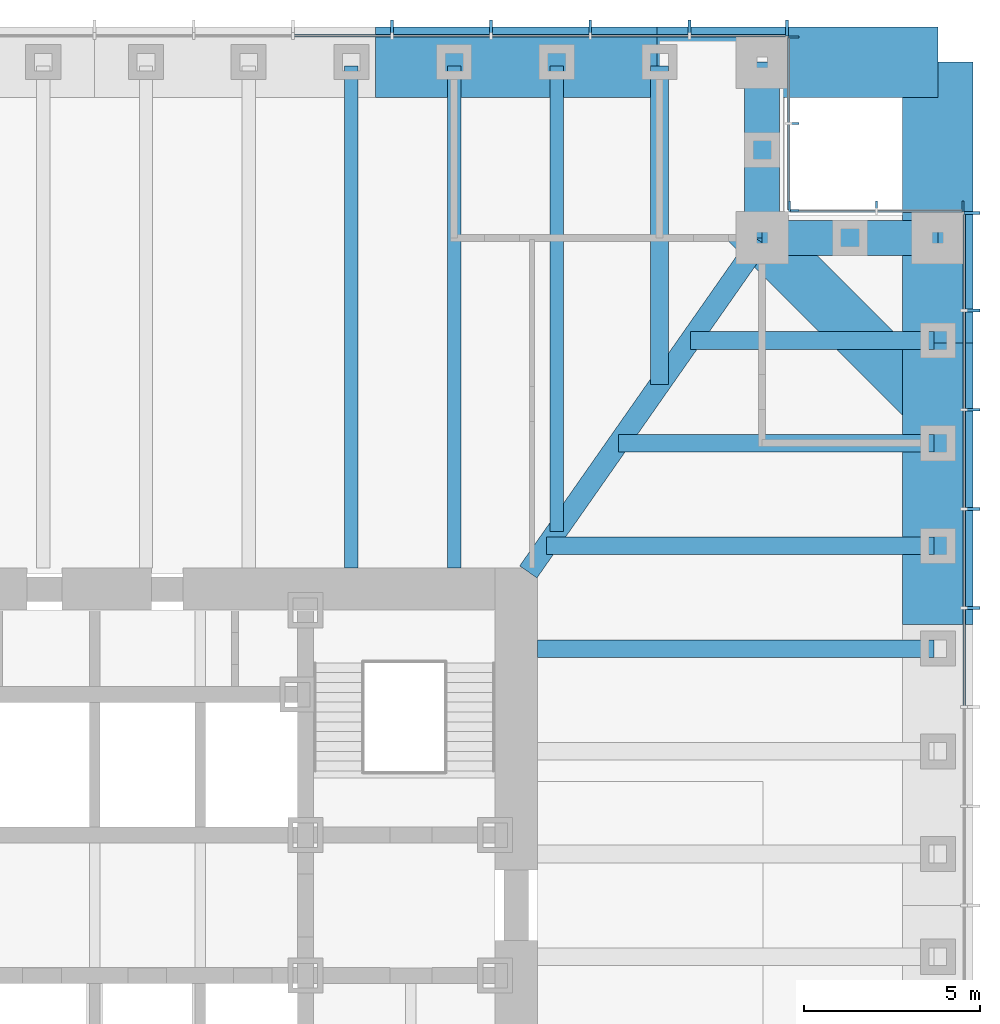
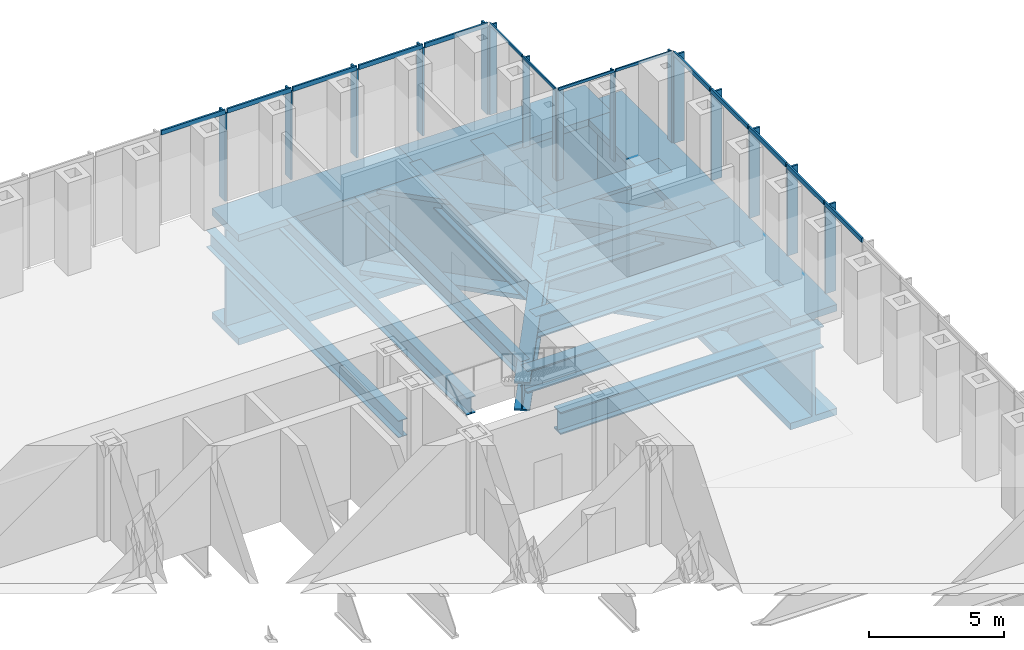
# One storey, part 6 of 16: 30 members, 16 beams, 4 elements without a shape of their own.
"""IFC4 building model written with IfcOpenShell, lengths in metres."""

from ifc_helpers import new_model, si_unit, direction, frame, origin, origin_2d, place, context, subcontext, project, spatial, rectangle, i_section, extrude, material, material_profile, profile_set, type_object, element, aggregate, save


model = new_model("IFC4")

# Units and contexts
model_context = context("Model", 3, precision=1e-05, world=origin(), true_north=direction((0.0, 1.0)))
body_context = subcontext(model_context, "Body", "Model", "MODEL_VIEW")
ifc_project = project(units=[si_unit("LENGTHUNIT", "METRE"), si_unit("AREAUNIT", "SQUARE_METRE"), si_unit("VOLUMEUNIT", "CUBIC_METRE"), si_unit("PLANEANGLEUNIT", "RADIAN"), si_unit("MASSUNIT", "GRAM", prefix="KILO")], contexts=[model_context])

# Site, building, storey
site_placement = place(None, origin())
site = spatial("IfcSite", under=ifc_project, at=site_placement, CompositionType="ELEMENT")
building_placement = place(site_placement, origin())
building = spatial("IfcBuilding", under=site, at=building_placement, Name="Daluyong Arena Tower", CompositionType="ELEMENT")
storey_placement = place(building_placement, frame((0.0, 0.0, 34.89990234375)))
storey = spatial("IfcBuildingStorey", under=building, at=storey_placement, Name="L06", CompositionType="ELEMENT", Elevation=34.89990234375)

# Curtain wall, members
ifc_material_1 = material(Name="Bronze anodised aluminium and glass", Category="aluminium")
curtain_wall_type_1 = type_object("IfcCurtainWallType", Name="Curtain wall CW1", PredefinedType="USERDEFINED", material=ifc_material_1)
curtain_wall_1_placement = place(storey_placement, origin())
curtain_wall_1 = element("IfcCurtainWall", 1, at=curtain_wall_1_placement, inside=storey, type_object=curtain_wall_type_1, Name="curtain wall L06 E", ObjectType="UNITISED CURTAIN WALL", PredefinedType="USERDEFINED")
ifc_material_2 = material(Name="Bronze anodised aluminium fin", Category="aluminium")
ifc_material_profile_1 = material_profile(ifc_material_2, rectangle(XDim=0.449951171875, YDim=0.080078125, at=origin_2d()))
ifc_profile_set_1 = profile_set([ifc_material_profile_1], Name="Bronze anodised aluminium fin")
member_type_1 = type_object("IfcMemberType", Name="CW1 bronze fin 450x80", PredefinedType="MULLION", material=ifc_profile_set_1)
member_1_placement = place(storey_placement, frame((80.97509765625, 88.46435546875, 0.0), z_axis=(0.0, 0.0, 1.0), x_axis=(-1.0, 0.0, 0.0)))
member_1 = element("IfcMember", 2, at=member_1_placement, type_object=member_type_1, Name="curtain wall L06 E fin 11", PredefinedType="MULLION", context=body_context, shape_type="SweptSolid", body=[
    extrude(rectangle(XDim=0.449951171875, YDim=0.080078125, at=origin_2d()), origin(), (0.0, 0.0, 1.0), 4.0),
])
member_2_placement = place(storey_placement, frame((80.97509765625, 91.28564453125, 0.0), z_axis=(0.0, 0.0, 1.0), x_axis=(-1.0, 0.0, 0.0)))
member_2 = element("IfcMember", 3, at=member_2_placement, type_object=member_type_1, Name="curtain wall L06 E fin 12", PredefinedType="MULLION", context=body_context, shape_type="SweptSolid", body=[
    extrude(rectangle(XDim=0.449951171875, YDim=0.080078125, at=origin_2d()), origin(), (0.0, 0.0, 1.0), 4.0),
])
member_3_placement = place(storey_placement, frame((80.97509765625, 94.107177734375, 0.0), z_axis=(0.0, 0.0, 1.0), x_axis=(-1.0, 0.0, 0.0)))
member_3 = element("IfcMember", 4, at=member_3_placement, type_object=member_type_1, Name="curtain wall L06 E fin 13", PredefinedType="MULLION", context=body_context, shape_type="SweptSolid", body=[
    extrude(rectangle(XDim=0.449951171875, YDim=0.080078125, at=origin_2d()), origin(), (0.0, 0.0, 1.0), 4.0),
])
member_4_placement = place(storey_placement, frame((80.97509765625, 96.928466796875, 0.0), z_axis=(0.0, 0.0, 1.0), x_axis=(-1.0, 0.0, 0.0)))
member_4 = element("IfcMember", 5, at=member_4_placement, type_object=member_type_1, Name="curtain wall L06 E fin 14", PredefinedType="MULLION", context=body_context, shape_type="SweptSolid", body=[
    extrude(rectangle(XDim=0.449951171875, YDim=0.080078125, at=origin_2d()), origin(), (0.0, 0.0, 1.0), 4.0),
])
member_5_placement = place(storey_placement, frame((80.97509765625, 99.7099609375, 0.0), z_axis=(0.0, 0.0, 1.0), x_axis=(-1.0, 0.0, 0.0)))
member_5 = element("IfcMember", 6, at=member_5_placement, type_object=member_type_1, Name="curtain wall L06 E fin 15", PredefinedType="MULLION", context=body_context, shape_type="SweptSolid", body=[
    extrude(rectangle(XDim=0.449951171875, YDim=0.080078125, at=origin_2d()), origin(), (0.0, 0.0, 1.0), 4.0),
])

curtain_wall_2_placement = place(storey_placement, origin())
curtain_wall_2 = element("IfcCurtainWall", 7, at=curtain_wall_2_placement, inside=storey, type_object=curtain_wall_type_1, Name="curtain wall L06 N", ObjectType="UNITISED CURTAIN WALL", PredefinedType="USERDEFINED")
member_6_placement = place(storey_placement, frame((75.7099609375, 104.97509765625, 0.0), z_axis=(0.0, 0.0, 1.0), x_axis=(0.0, -1.0, 0.0)))
member_6 = element("IfcMember", 8, at=member_6_placement, type_object=member_type_1, Name="curtain wall L06 N fin 1", PredefinedType="MULLION", context=body_context, shape_type="SweptSolid", body=[
    extrude(rectangle(XDim=0.449951171875, YDim=0.080078125, at=origin_2d()), origin(), (0.0, 0.0, 1.0), 4.0),
])
member_7_placement = place(storey_placement, frame((72.928466796875, 104.97509765625, 0.0), z_axis=(0.0, 0.0, 1.0), x_axis=(0.0, -1.0, 0.0)))
member_7 = element("IfcMember", 9, at=member_7_placement, type_object=member_type_1, Name="curtain wall L06 N fin 2", PredefinedType="MULLION", context=body_context, shape_type="SweptSolid", body=[
    extrude(rectangle(XDim=0.449951171875, YDim=0.080078125, at=origin_2d()), origin(), (0.0, 0.0, 1.0), 4.0),
])
member_8_placement = place(storey_placement, frame((70.107177734375, 104.97509765625, 0.0), z_axis=(0.0, 0.0, 1.0), x_axis=(0.0, -1.0, 0.0)))
member_8 = element("IfcMember", 10, at=member_8_placement, type_object=member_type_1, Name="curtain wall L06 N fin 3", PredefinedType="MULLION", context=body_context, shape_type="SweptSolid", body=[
    extrude(rectangle(XDim=0.449951171875, YDim=0.080078125, at=origin_2d()), origin(), (0.0, 0.0, 1.0), 4.0),
])
member_9_placement = place(storey_placement, frame((67.28564453125, 104.97509765625, 0.0), z_axis=(0.0, 0.0, 1.0), x_axis=(0.0, -1.0, 0.0)))
member_9 = element("IfcMember", 11, at=member_9_placement, type_object=member_type_1, Name="curtain wall L06 N fin 4", PredefinedType="MULLION", context=body_context, shape_type="SweptSolid", body=[
    extrude(rectangle(XDim=0.449951171875, YDim=0.080078125, at=origin_2d()), origin(), (0.0, 0.0, 1.0), 4.0),
])
member_10_placement = place(storey_placement, frame((64.46435546875, 104.97509765625, 0.0), z_axis=(0.0, 0.0, 1.0), x_axis=(0.0, -1.0, 0.0)))
member_10 = element("IfcMember", 12, at=member_10_placement, type_object=member_type_1, Name="curtain wall L06 N fin 5", PredefinedType="MULLION", context=body_context, shape_type="SweptSolid", body=[
    extrude(rectangle(XDim=0.449951171875, YDim=0.080078125, at=origin_2d()), origin(), (0.0, 0.0, 1.0), 4.0),
])

# Member
ifc_material_3 = material(Name="Bronze anodised aluminium", Category="aluminium")
ifc_material_profile_2 = material_profile(ifc_material_3, rectangle(XDim=0.080078125, YDim=0.199951171875, at=origin_2d()))
ifc_profile_set_2 = profile_set([ifc_material_profile_2], Name="Bronze anodised aluminium")
member_type_2 = type_object("IfcMemberType", Name="CW1 stack transom 200x80", PredefinedType="USERDEFINED", material=ifc_profile_set_2)
member_11_placement = place(storey_placement, frame((80.75, 85.682861328125, 4.10009765625), z_axis=(0.0, 1.0, 0.0), x_axis=(-1.0, 0.0, 0.0)))
member_11 = element("IfcMember", 13, at=member_11_placement, type_object=member_type_2, Name="curtain wall L06 E transom 10", ObjectType="TRANSOM", PredefinedType="USERDEFINED", context=body_context, shape_type="SweptSolid", body=[
    extrude(rectangle(XDim=0.080078125, YDim=0.199951171875, at=origin_2d()), origin(), (0.0, 0.0, 1.0), 2.741455078125),
])

member_12_placement = place(storey_placement, frame((80.75, 88.50439453125, 4.10009765625), z_axis=(0.0, 1.0, 0.0), x_axis=(-1.0, 0.0, 0.0)))
member_12 = element("IfcMember", 14, at=member_12_placement, type_object=member_type_2, Name="curtain wall L06 E transom 11", ObjectType="TRANSOM", PredefinedType="USERDEFINED", context=body_context, shape_type="SweptSolid", body=[
    extrude(rectangle(XDim=0.080078125, YDim=0.199951171875, at=origin_2d()), origin(), (0.0, 0.0, 1.0), 2.7412109375),
])

member_13_placement = place(storey_placement, frame((80.75, 91.32568359375, 4.10009765625), z_axis=(0.0, 1.0, 0.0), x_axis=(-1.0, 0.0, 0.0)))
member_13 = element("IfcMember", 15, at=member_13_placement, type_object=member_type_2, Name="curtain wall L06 E transom 12", ObjectType="TRANSOM", PredefinedType="USERDEFINED", context=body_context, shape_type="SweptSolid", body=[
    extrude(rectangle(XDim=0.080078125, YDim=0.199951171875, at=origin_2d()), origin(), (0.0, 0.0, 1.0), 2.741455078125),
])

member_14_placement = place(storey_placement, frame((80.75, 94.147216796875, 4.10009765625), z_axis=(0.0, 1.0, 0.0), x_axis=(-1.0, 0.0, 0.0)))
member_14 = element("IfcMember", 16, at=member_14_placement, type_object=member_type_2, Name="curtain wall L06 E transom 13", ObjectType="TRANSOM", PredefinedType="USERDEFINED", context=body_context, shape_type="SweptSolid", body=[
    extrude(rectangle(XDim=0.080078125, YDim=0.199951171875, at=origin_2d()), origin(), (0.0, 0.0, 1.0), 2.741455078125),
])

member_15_placement = place(storey_placement, frame((80.75, 96.968505859375, 4.10009765625), z_axis=(0.0, 1.0, 0.0), x_axis=(-1.0, 0.0, 0.0)))
member_15 = element("IfcMember", 17, at=member_15_placement, type_object=member_type_2, Name="curtain wall L06 E transom 14", ObjectType="TRANSOM", PredefinedType="USERDEFINED", context=body_context, shape_type="SweptSolid", body=[
    extrude(rectangle(XDim=0.080078125, YDim=0.199951171875, at=origin_2d()), origin(), (0.0, 0.0, 1.0), 2.701416015625),
])

aggregate(curtain_wall_1, [member_1, member_2, member_3, member_4, member_5, member_11, member_12, member_13, member_14, member_15])

member_16_placement = place(storey_placement, frame((75.669921875, 104.75, 4.10009765625), z_axis=(-1.0, 0.0, 0.0), x_axis=(0.0, -1.0, 0.0)))
member_16 = element("IfcMember", 18, at=member_16_placement, type_object=member_type_2, Name="curtain wall L06 N transom 1", ObjectType="TRANSOM", PredefinedType="USERDEFINED", context=body_context, shape_type="SweptSolid", body=[
    extrude(rectangle(XDim=0.080078125, YDim=0.199951171875, at=origin_2d()), origin(), (0.0, 0.0, 1.0), 2.701416015625),
])

member_17_placement = place(storey_placement, frame((72.888671875, 104.75, 4.10009765625), z_axis=(-1.0, 0.0, 0.0), x_axis=(0.0, -1.0, 0.0)))
member_17 = element("IfcMember", 19, at=member_17_placement, type_object=member_type_2, Name="curtain wall L06 N transom 2", ObjectType="TRANSOM", PredefinedType="USERDEFINED", context=body_context, shape_type="SweptSolid", body=[
    extrude(rectangle(XDim=0.080078125, YDim=0.199951171875, at=origin_2d()), origin(), (0.0, 0.0, 1.0), 2.741455078125),
])

member_18_placement = place(storey_placement, frame((70.067138671875, 104.75, 4.10009765625), z_axis=(-1.0, 0.0, 0.0), x_axis=(0.0, -1.0, 0.0)))
member_18 = element("IfcMember", 20, at=member_18_placement, type_object=member_type_2, Name="curtain wall L06 N transom 3", ObjectType="TRANSOM", PredefinedType="USERDEFINED", context=body_context, shape_type="SweptSolid", body=[
    extrude(rectangle(XDim=0.080078125, YDim=0.199951171875, at=origin_2d()), origin(), (0.0, 0.0, 1.0), 2.741455078125),
])

member_19_placement = place(storey_placement, frame((67.24560546875, 104.75, 4.10009765625), z_axis=(-1.0, 0.0, 0.0), x_axis=(0.0, -1.0, 0.0)))
member_19 = element("IfcMember", 21, at=member_19_placement, type_object=member_type_2, Name="curtain wall L06 N transom 4", ObjectType="TRANSOM", PredefinedType="USERDEFINED", context=body_context, shape_type="SweptSolid", body=[
    extrude(rectangle(XDim=0.080078125, YDim=0.199951171875, at=origin_2d()), origin(), (0.0, 0.0, 1.0), 2.7412109375),
])

member_20_placement = place(storey_placement, frame((64.42431640625, 104.75, 4.10009765625), z_axis=(-1.0, 0.0, 0.0), x_axis=(0.0, -1.0, 0.0)))
member_20 = element("IfcMember", 22, at=member_20_placement, type_object=member_type_2, Name="curtain wall L06 N transom 5", ObjectType="TRANSOM", PredefinedType="USERDEFINED", context=body_context, shape_type="SweptSolid", body=[
    extrude(rectangle(XDim=0.080078125, YDim=0.199951171875, at=origin_2d()), origin(), (0.0, 0.0, 1.0), 2.741455078125),
])

aggregate(curtain_wall_2, [member_6, member_7, member_8, member_9, member_10, member_16, member_17, member_18, member_19, member_20])

# Curtain wall, members
ifc_material_4 = material(Name="Bronze anodised aluminium and glass", Category="aluminium")
curtain_wall_type_2 = type_object("IfcCurtainWallType", Name="Curtain wall CW7", PredefinedType="USERDEFINED", material=ifc_material_4)
curtain_wall_3_placement = place(storey_placement, origin())
curtain_wall_3 = element("IfcCurtainWall", 23, at=curtain_wall_3_placement, inside=storey, type_object=curtain_wall_type_2, Name="curtain wall L06 NE-N", ObjectType="UNITISED CURTAIN WALL", PredefinedType="USERDEFINED")
ifc_material_5 = material(Name="Bronze anodised aluminium fin", Category="aluminium")
ifc_material_profile_3 = material_profile(ifc_material_5, rectangle(XDim=0.300048828125, YDim=0.06005859375, at=origin_2d()))
ifc_profile_set_3 = profile_set([ifc_material_profile_3], Name="Bronze anodised aluminium fin")
member_type_3 = type_object("IfcMemberType", Name="CW7 bronze fin 300x60", PredefinedType="MULLION", material=ifc_profile_set_3)
member_21_placement = place(storey_placement, frame((80.719970703125, 99.89990234375, 0.0), z_axis=(0.0, 0.0, 1.0), x_axis=(0.0, -1.0, 0.0)))
member_21 = element("IfcMember", 24, at=member_21_placement, type_object=member_type_3, Name="curtain wall L06 NE-N fin 1", PredefinedType="MULLION", context=body_context, shape_type="SweptSolid", body=[
    extrude(rectangle(XDim=0.300048828125, YDim=0.06005859375, at=origin_2d()), origin(), (0.0, 0.0, 1.0), 4.080078125),
])
member_22_placement = place(storey_placement, frame((78.25, 99.89990234375, 0.0), z_axis=(0.0, 0.0, 1.0), x_axis=(0.0, -1.0, 0.0)))
member_22 = element("IfcMember", 25, at=member_22_placement, type_object=member_type_3, Name="curtain wall L06 NE-N fin 2", PredefinedType="MULLION", context=body_context, shape_type="SweptSolid", body=[
    extrude(rectangle(XDim=0.300048828125, YDim=0.06005859375, at=origin_2d()), origin(), (0.0, 0.0, 1.0), 4.080078125),
])
member_23_placement = place(storey_placement, frame((75.780029296875, 99.89990234375, 0.0), z_axis=(0.0, 0.0, 1.0), x_axis=(0.0, -1.0, 0.0)))
member_23 = element("IfcMember", 26, at=member_23_placement, type_object=member_type_3, Name="curtain wall L06 NE-N fin 3", PredefinedType="MULLION", context=body_context, shape_type="SweptSolid", body=[
    extrude(rectangle(XDim=0.300048828125, YDim=0.06005859375, at=origin_2d()), origin(), (0.0, 0.0, 1.0), 4.080078125),
])

curtain_wall_4_placement = place(storey_placement, origin())
curtain_wall_4 = element("IfcCurtainWall", 27, at=curtain_wall_4_placement, inside=storey, type_object=curtain_wall_type_2, Name="curtain wall L06 NE-E", ObjectType="UNITISED CURTAIN WALL", PredefinedType="USERDEFINED")
member_24_placement = place(storey_placement, frame((75.89990234375, 99.780029296875, 0.0), z_axis=(0.0, 0.0, 1.0), x_axis=(-1.0, 0.0, 0.0)))
member_24 = element("IfcMember", 28, at=member_24_placement, type_object=member_type_3, Name="curtain wall L06 NE-E fin 1", PredefinedType="MULLION", context=body_context, shape_type="SweptSolid", body=[
    extrude(rectangle(XDim=0.300048828125, YDim=0.06005859375, at=origin_2d()), origin(), (0.0, 0.0, 1.0), 4.080078125),
])
member_25_placement = place(storey_placement, frame((75.89990234375, 102.25, 0.0), z_axis=(0.0, 0.0, 1.0), x_axis=(-1.0, 0.0, 0.0)))
member_25 = element("IfcMember", 29, at=member_25_placement, type_object=member_type_3, Name="curtain wall L06 NE-E fin 2", PredefinedType="MULLION", context=body_context, shape_type="SweptSolid", body=[
    extrude(rectangle(XDim=0.300048828125, YDim=0.06005859375, at=origin_2d()), origin(), (0.0, 0.0, 1.0), 4.080078125),
])
member_26_placement = place(storey_placement, frame((75.89990234375, 104.719970703125, 0.0), z_axis=(0.0, 0.0, 1.0), x_axis=(-1.0, 0.0, 0.0)))
member_26 = element("IfcMember", 30, at=member_26_placement, type_object=member_type_3, Name="curtain wall L06 NE-E fin 3", PredefinedType="MULLION", context=body_context, shape_type="SweptSolid", body=[
    extrude(rectangle(XDim=0.300048828125, YDim=0.06005859375, at=origin_2d()), origin(), (0.0, 0.0, 1.0), 4.080078125),
])

# Member
ifc_material_6 = material(Name="Bronze anodised aluminium", Category="aluminium")
ifc_material_profile_4 = material_profile(ifc_material_6, rectangle(XDim=0.06005859375, YDim=0.1201171875, at=origin_2d()))
ifc_profile_set_4 = profile_set([ifc_material_profile_4], Name="Bronze anodised aluminium")
member_type_4 = type_object("IfcMemberType", Name="CW7 stack transom 120x60", PredefinedType="USERDEFINED", material=ifc_profile_set_4)
member_27_placement = place(storey_placement, frame((80.68994140625, 99.75, 4.14013671875), z_axis=(-1.0, 0.0, 0.0), x_axis=(0.0, -1.0, 0.0)))
member_27 = element("IfcMember", 31, at=member_27_placement, type_object=member_type_4, Name="curtain wall L06 NE-N transom 1", ObjectType="TRANSOM", PredefinedType="USERDEFINED", context=body_context, shape_type="SweptSolid", body=[
    extrude(rectangle(XDim=0.06005859375, YDim=0.1201171875, at=origin_2d()), origin(), (0.0, 0.0, 1.0), 2.409912109375),
])

member_28_placement = place(storey_placement, frame((78.219970703125, 99.75, 4.14013671875), z_axis=(-1.0, 0.0, 0.0), x_axis=(0.0, -1.0, 0.0)))
member_28 = element("IfcMember", 32, at=member_28_placement, type_object=member_type_4, Name="curtain wall L06 NE-N transom 2", ObjectType="TRANSOM", PredefinedType="USERDEFINED", context=body_context, shape_type="SweptSolid", body=[
    extrude(rectangle(XDim=0.06005859375, YDim=0.1201171875, at=origin_2d()), origin(), (0.0, 0.0, 1.0), 2.409912109375),
])

aggregate(curtain_wall_3, [member_21, member_22, member_23, member_27, member_28])

member_29_placement = place(storey_placement, frame((75.75, 99.81005859375, 4.14013671875), z_axis=(0.0, 1.0, 0.0), x_axis=(-1.0, 0.0, 0.0)))
member_29 = element("IfcMember", 33, at=member_29_placement, type_object=member_type_4, Name="curtain wall L06 NE-E transom 1", ObjectType="TRANSOM", PredefinedType="USERDEFINED", context=body_context, shape_type="SweptSolid", body=[
    extrude(rectangle(XDim=0.06005859375, YDim=0.1201171875, at=origin_2d()), origin(), (0.0, 0.0, 1.0), 2.409912109375),
])

member_30_placement = place(storey_placement, frame((75.75, 102.280029296875, 4.14013671875), z_axis=(0.0, 1.0, 0.0), x_axis=(-1.0, 0.0, 0.0)))
member_30 = element("IfcMember", 34, at=member_30_placement, type_object=member_type_4, Name="curtain wall L06 NE-E transom 2", ObjectType="TRANSOM", PredefinedType="USERDEFINED", context=body_context, shape_type="SweptSolid", body=[
    extrude(rectangle(XDim=0.06005859375, YDim=0.1201171875, at=origin_2d()), origin(), (0.0, 0.0, 1.0), 2.409912109375),
])

aggregate(curtain_wall_4, [member_24, member_25, member_26, member_29, member_30])

# Beams
ifc_material_7 = material(Name="Steel ASTM A572 Grade 50", Category="steel")
ifc_material_profile_5 = material_profile(ifc_material_7, i_section(OverallWidth=0.60009765625, OverallDepth=1.300048828125, WebThickness=0.035, FlangeThickness=0.07, at=origin_2d()))
ifc_profile_set_5 = profile_set([ifc_material_profile_5], Name="Steel ASTM A572 Grade 50")
beam_type_1 = type_object("IfcBeamType", Name="Corner girder TB1300X600", PredefinedType="BEAM", material=ifc_profile_set_5)
beam_1_placement = place(storey_placement, frame((74.93408203125, 98.90576171875, -0.949951171875), z_axis=(-0.573466621875, -0.819228926244, 0.0), x_axis=(0.819228926244, -0.573466621875, 0.0)))
element("IfcBeam", 35, at=beam_1_placement, inside=storey, type_object=beam_type_1, Name="corner girder DG1", PredefinedType="BEAM", context=body_context, shape_type="SweptSolid", body=[
    extrude(i_section(OverallWidth=0.60009765625, OverallDepth=1.300048828125, WebThickness=0.035, FlangeThickness=0.07, at=origin_2d()), origin(), (0.0, 0.0, 1.0), 11.49169921875),
])
ifc_material_8 = material(Name="Steel ASTM A572 Grade 50", Category="steel")
ifc_material_profile_6 = material_profile(ifc_material_8, i_section(OverallWidth=0.5, OverallDepth=1.0, WebThickness=0.03, FlangeThickness=0.06, at=origin_2d()))
ifc_profile_set_6 = profile_set([ifc_material_profile_6], Name="Steel ASTM A572 Grade 50")
beam_type_2 = type_object("IfcBeamType", Name="Floor beam TB1000X500", PredefinedType="BEAM", material=ifc_profile_set_6)
beam_2_placement = place(storey_placement, frame((79.885009765625, 87.3076171875, -0.7998046875), z_axis=(-1.0, 0.0, 0.0), x_axis=(0.0, -1.0, 0.0)))
element("IfcBeam", 36, at=beam_2_placement, inside=storey, type_object=beam_type_2, Name="floor beam FB1", PredefinedType="BEAM", context=body_context, shape_type="SweptSolid", body=[
    extrude(i_section(OverallWidth=0.5, OverallDepth=1.0, WebThickness=0.03, FlangeThickness=0.06, at=origin_2d()), origin(), (0.0, 0.0, 1.0), 11.284912109375),
])
beam_3_placement = place(storey_placement, frame((79.885009765625, 90.230712890625, -0.7998046875), z_axis=(-1.0, 0.0, 0.0), x_axis=(0.0, -1.0, 0.0)))
element("IfcBeam", 37, at=beam_3_placement, inside=storey, type_object=beam_type_2, Name="floor beam FB1", PredefinedType="BEAM", context=body_context, shape_type="SweptSolid", body=[
    extrude(i_section(OverallWidth=0.5, OverallDepth=1.0, WebThickness=0.03, FlangeThickness=0.06, at=origin_2d()), origin(), (0.0, 0.0, 1.0), 11.0234375),
])
beam_4_placement = place(storey_placement, frame((79.885009765625, 93.15380859375, -0.7998046875), z_axis=(-1.0, 0.0, 0.0), x_axis=(0.0, -1.0, 0.0)))
element("IfcBeam", 38, at=beam_4_placement, inside=storey, type_object=beam_type_2, Name="floor beam FB1", PredefinedType="BEAM", context=body_context, shape_type="SweptSolid", body=[
    extrude(i_section(OverallWidth=0.5, OverallDepth=1.0, WebThickness=0.03, FlangeThickness=0.06, at=origin_2d()), origin(), (0.0, 0.0, 1.0), 8.977294921875),
])
beam_5_placement = place(storey_placement, frame((79.885009765625, 96.076904296875, -0.7998046875), z_axis=(-1.0, 0.0, 0.0), x_axis=(0.0, -1.0, 0.0)))
element("IfcBeam", 39, at=beam_5_placement, inside=storey, type_object=beam_type_2, Name="floor beam FB1", PredefinedType="BEAM", context=body_context, shape_type="SweptSolid", body=[
    extrude(i_section(OverallWidth=0.5, OverallDepth=1.0, WebThickness=0.03, FlangeThickness=0.06, at=origin_2d()), origin(), (0.0, 0.0, 1.0), 6.93115234375),
])
beam_6_placement = place(storey_placement, frame((72.076904296875, 103.885009765625, -0.7998046875), z_axis=(0.0, -1.0, 0.0), x_axis=(1.0, 0.0, 0.0)))
element("IfcBeam", 40, at=beam_6_placement, inside=storey, type_object=beam_type_2, Name="floor beam FB1", PredefinedType="BEAM", context=body_context, shape_type="SweptSolid", body=[
    extrude(i_section(OverallWidth=0.5, OverallDepth=1.0, WebThickness=0.03, FlangeThickness=0.06, at=origin_2d()), origin(), (0.0, 0.0, 1.0), 9.060791015625),
])
ifc_material_9 = material(Name="Steel ASTM A992 Grade 50", Category="steel")
ifc_material_profile_7 = material_profile(ifc_material_9, i_section(OverallWidth=0.381103515625, OverallDepth=0.772216796875, WebThickness=0.0166015625, FlangeThickness=0.027099609375, at=origin_2d()))
ifc_profile_set_7 = profile_set([ifc_material_profile_7], Name="Steel ASTM A992 Grade 50")
beam_type_3 = type_object("IfcBeamType", Name="Floor beam W30X173", PredefinedType="BEAM", material=ifc_profile_set_7)
beam_7_placement = place(storey_placement, frame((69.15380859375, 103.885009765625, -0.68603515625), z_axis=(0.0, -1.0, 0.0), x_axis=(1.0, 0.0, 0.0)))
element("IfcBeam", 41, at=beam_7_placement, inside=storey, type_object=beam_type_3, Name="floor beam FB2", PredefinedType="BEAM", context=body_context, shape_type="SweptSolid", body=[
    extrude(i_section(OverallWidth=0.381103515625, OverallDepth=0.772216796875, WebThickness=0.0166015625, FlangeThickness=0.027099609375, at=origin_2d()), origin(), (0.0, 0.0, 1.0), 13.236572265625),
])
for number, where, z_axis, x_axis, name in (
    (42, (66.230712890625, 103.885009765625, -0.68603515625), (0.0, -1.0, 0.0), (1.0, 0.0, 0.0), "floor beam FB2"),
    (43, (63.3076171875, 103.885009765625, -0.68603515625), (0.0, -1.0, 0.0), (1.0, 0.0, 0.0), "floor beam FB2"),
):
    element("IfcBeam", number, at=place(storey_placement, frame(where, z_axis=z_axis, x_axis=x_axis)), inside=storey, type_object=beam_type_3, Name=name, PredefinedType="BEAM", context=body_context, shape_type="SweptSolid", body=[
        extrude(i_section(OverallWidth=0.381103515625, OverallDepth=0.772216796875, WebThickness=0.0166015625, FlangeThickness=0.027099609375, at=origin_2d()), origin(), (0.0, 0.0, 1.0), 14.284912109375),
    ])
ifc_material_10 = material(Name="Steel ASTM A36", Category="steel")
ifc_material_profile_8 = material_profile(ifc_material_10, i_section(OverallWidth=2.0, OverallDepth=5.0, WebThickness=0.14, FlangeThickness=0.3, at=origin_2d()))
ifc_profile_set_8 = profile_set([ifc_material_profile_8], Name="Steel ASTM A36")
beam_type_4 = type_object("IfcBeamType", Name="Tower transfer girder PG5000X2000", PredefinedType="BEAM", material=ifc_profile_set_8)
for number, where, z_axis, x_axis, name in (
    (44, (80.0, 88.0, -2.7998046875), (0.0, 1.0, 0.0), (-1.0, 0.0, 0.0), "tower transfer girder TG2"),
    (45, (80.0, 96.0, -2.7998046875), (0.0, 1.0, 0.0), (-1.0, 0.0, 0.0), "tower transfer girder TG2"),
    (46, (64.0, 104.0, -2.7998046875), (1.0, 0.0, 0.0), (0.0, 1.0, 0.0), "tower transfer girder TG2"),
    (47, (72.0, 104.0, -2.7998046875), (1.0, 0.0, 0.0), (0.0, 1.0, 0.0), "tower transfer girder TG2"),
):
    element("IfcBeam", number, at=place(storey_placement, frame(where, z_axis=z_axis, x_axis=x_axis)), inside=storey, type_object=beam_type_4, Name=name, PredefinedType="BEAM", context=body_context, shape_type="SweptSolid", body=[
        extrude(i_section(OverallWidth=2.0, OverallDepth=5.0, WebThickness=0.14, FlangeThickness=0.3, at=origin_2d()), origin(), (0.0, 0.0, 1.0), 8.0),
    ])
ifc_material_11 = material(Name="Steel ASTM A588 Grade 50", Category="steel")
ifc_material_profile_9 = material_profile(ifc_material_11, i_section(OverallWidth=1.0, OverallDepth=2.0, WebThickness=0.06, FlangeThickness=0.15, at=origin_2d()))
ifc_profile_set_9 = profile_set([ifc_material_profile_9], Name="Steel ASTM A588 Grade 50")
beam_type_5 = type_object("IfcBeamType", Name="Transfer beam PG2000X1000", PredefinedType="BEAM", material=ifc_profile_set_9)
for number, where, z_axis, x_axis, name in (
    (48, (75.0, 104.0, -1.2998046875), (0.0, -1.0, 0.0), (1.0, 0.0, 0.0), "transfer beam TR2"),
    (49, (80.0, 99.0, -1.2998046875), (-1.0, 0.0, 0.0), (0.0, -1.0, 0.0), "transfer beam TR2"),
):
    element("IfcBeam", number, at=place(storey_placement, frame(where, z_axis=z_axis, x_axis=x_axis)), inside=storey, type_object=beam_type_5, Name=name, PredefinedType="BEAM", context=body_context, shape_type="SweptSolid", body=[
        extrude(i_section(OverallWidth=1.0, OverallDepth=2.0, WebThickness=0.06, FlangeThickness=0.15, at=origin_2d()), origin(), (0.0, 0.0, 1.0), 5.0),
    ])
ifc_material_12 = material(Name="Steel ASTM A588 Grade 50", Category="steel")
ifc_material_profile_10 = material_profile(ifc_material_12, i_section(OverallWidth=1.5, OverallDepth=4.0, WebThickness=0.1, FlangeThickness=0.2, at=origin_2d()))
ifc_profile_set_10 = profile_set([ifc_material_profile_10], Name="Steel ASTM A588 Grade 50")
beam_type_6 = type_object("IfcBeamType", Name="Transfer beam PG4000X1500", PredefinedType="BEAM", material=ifc_profile_set_10)
beam_8_placement = place(storey_placement, frame((80.0, 94.0, -2.2998046875), z_axis=(-0.707106781187, 0.707106781187, 0.0), x_axis=(-0.707106781187, -0.707106781187, 0.0)))
element("IfcBeam", 50, at=beam_8_placement, inside=storey, type_object=beam_type_6, Name="transfer beam TR1", PredefinedType="BEAM", context=body_context, shape_type="SweptSolid", body=[
    extrude(i_section(OverallWidth=1.5, OverallDepth=4.0, WebThickness=0.1, FlangeThickness=0.2, at=origin_2d()), origin(), (0.0, 0.0, 1.0), 14.14208984375),
])

save(model, "model.ifc")
